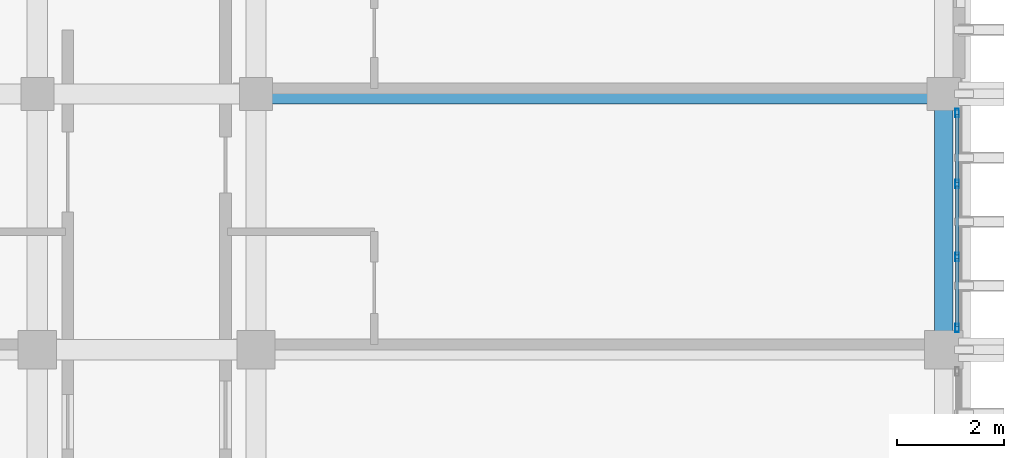
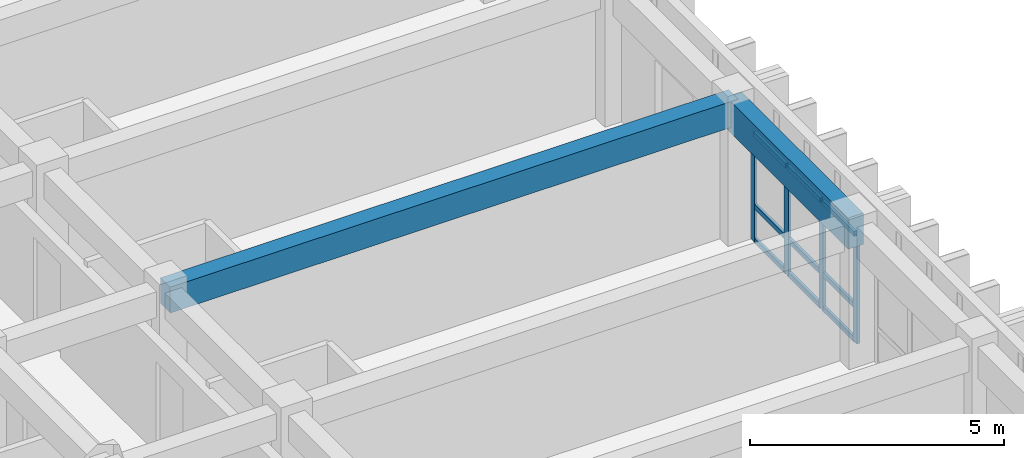
# One storey, part 16 of 59: 13 members, 2 beams, 1 element without a shape of its own.
"""IFC4 building model written with IfcOpenShell, lengths in metres."""

import ifcopenshell
import ifcopenshell.guid

model = None  # the IFC model being written
_history = None  # IfcOwnerHistory: only IFC2X3 demands one
_inside = {}  # id of a spatial element -> (the spatial element, [elements in it])
_under = {}  # id of a project, library or spatial element -> (it, [spatial elements below it])
_declared = {}  # id of a project -> (the project, [libraries it declares])
_typed = {}  # id of a type object -> (the type object, [elements of that type])
_made_of = {}  # id of a material, layer set ... -> (it, [elements and type objects made of it])


def new_model(schema):
    """Start an empty IFC model of exactly this schema.

    Asked for "IFC4X3", IfcOpenShell would pick the latest addendum, in which some entities
    have other attributes; the version numbers below select the first issue.
    IFC2X3 requires an IfcOwnerHistory on every rooted entity: one is made here for all.
    """
    global model, _history
    if schema == "IFC4X3":
        model = ifcopenshell.file(schema_version=(4, 3, 0, 0))
    else:
        model = ifcopenshell.file(schema=schema)
    _inside.clear()
    _under.clear()
    _declared.clear()
    _typed.clear()
    _made_of.clear()
    _history = None
    if model.schema == "IFC2X3":
        org = make("IfcOrganization", Name="unknown")
        user = make(
            "IfcPersonAndOrganization",
            ThePerson=make("IfcPerson", FamilyName="unknown"),
            TheOrganization=org,
        )
        app = make(
            "IfcApplication",
            ApplicationDeveloper=org,
            Version="unknown",
            ApplicationFullName="unknown",
            ApplicationIdentifier="unknown",
        )
        _history = make(
            "IfcOwnerHistory",
            OwningUser=user,
            OwningApplication=app,
            ChangeAction="ADDED",
            CreationDate=0,
        )
    return model


def make(cls, **values):
    """One entity of the class cls with the attributes given. An attribute that is None is left unset."""
    return model.create_entity(
        cls, **{name: value for name, value in values.items() if value is not None}
    )


def rooted(cls, **values):
    """An entity with a GlobalId (a new one), such as an element, a storey or a relation."""
    return make(cls, GlobalId=ifcopenshell.guid.new(), OwnerHistory=_history, **values)


def si_unit(unit_type, name, prefix=None):
    """IfcSIUnit, for example si_unit("LENGTHUNIT", "METRE", prefix="MILLI")."""
    return make("IfcSIUnit", UnitType=unit_type, Prefix=prefix, Name=name)


def assignment(units):
    """IfcUnitAssignment: the units of a project."""
    return None if units is None else make("IfcUnitAssignment", Units=units)


def point(xyz):
    """IfcCartesianPoint."""
    return None if xyz is None else make("IfcCartesianPoint", Coordinates=xyz)


def direction(xyz):
    """IfcDirection."""
    return None if xyz is None else make("IfcDirection", DirectionRatios=xyz)


def frame(location, z_axis=None, x_axis=None):
    """IfcAxis2Placement3D, a coordinate frame: its origin and axes. An axis left out is left unset."""
    return make(
        "IfcAxis2Placement3D",
        Location=point(location),
        Axis=direction(z_axis),
        RefDirection=direction(x_axis),
    )


def frame_2d(location, x_axis=None):
    """IfcAxis2Placement2D, a coordinate frame in the plane: its origin and x axis."""
    return make(
        "IfcAxis2Placement2D", Location=point(location), RefDirection=direction(x_axis)
    )


def origin():
    """The frame at (0, 0, 0) with its axes left unset."""
    return frame((0.0, 0.0, 0.0))


def origin_2d():
    """The frame at (0, 0) in the plane with its x axis left unset."""
    return frame_2d((0.0, 0.0))


def place(relative_to, where):
    """IfcLocalPlacement: puts the frame where relative to a parent placement (None: the world)."""
    return make(
        "IfcLocalPlacement", PlacementRelTo=relative_to, RelativePlacement=where
    )


def context(
    kind, dimensions, precision=None, world=None, true_north=None, identifier=None
):
    """IfcGeometricRepresentationContext, for example the 3D "Model" context."""
    return make(
        "IfcGeometricRepresentationContext",
        ContextIdentifier=identifier,
        ContextType=kind,
        CoordinateSpaceDimension=dimensions,
        Precision=precision,
        WorldCoordinateSystem=world,
        TrueNorth=true_north,
    )


def subcontext(parent, identifier, kind, view, scale=None):
    """IfcGeometricRepresentationSubContext, for example "Body" below "Model"."""
    return make(
        "IfcGeometricRepresentationSubContext",
        ContextIdentifier=identifier,
        ContextType=kind,
        ParentContext=parent,
        TargetScale=scale,
        TargetView=view,
    )


def project(units=None, contexts=None):
    """IfcProject with its units and contexts."""
    return rooted(
        "IfcProject",
        Name="project",
        RepresentationContexts=contexts,
        UnitsInContext=assignment(units),
    )


def spatial(cls, under=None, at=None, **own):
    """A site, building, storey or space (cls), placed at a placement, below another one or the project."""
    s = rooted(cls, ObjectPlacement=at, **own)
    if under is not None:
        _under.setdefault(under.id(), (under, []))[1].append(s)
    return s


def profile(cls, at=None, kind="AREA", **sizes):
    """A parametric profile (cls). Its sizes go by their IFC names, for example OverallWidth=200.0."""
    return make(cls, ProfileType=kind, Position=at, **sizes)


def rectangle(**sizes):
    """IfcRectangleProfileDef."""
    return profile("IfcRectangleProfileDef", **sizes)


def hollow_rectangle(**sizes):
    """IfcRectangleHollowProfileDef."""
    return profile("IfcRectangleHollowProfileDef", **sizes)


def extrude(swept, where, along, depth):
    """IfcExtrudedAreaSolid: the profile swept, set in the frame where, extruded along a direction by depth."""
    return make(
        "IfcExtrudedAreaSolid",
        SweptArea=swept,
        Position=where,
        ExtrudedDirection=direction(along),
        Depth=depth,
    )


def shape(context_of_items, identifier, shape_type, items):
    """IfcShapeRepresentation: the items that make up one representation, for example the "Body"."""
    return make(
        "IfcShapeRepresentation",
        ContextOfItems=context_of_items,
        RepresentationIdentifier=identifier,
        RepresentationType=shape_type,
        Items=items,
    )


def material(Name=None, Category=None):
    """IfcMaterial."""
    return make("IfcMaterial", Name=Name, Category=Category)


def layer(
    of_material, thickness, ventilated=None, Name=None, Category=None, Priority=None
):
    """IfcMaterialLayer: one layer of a wall or slab, of a material (None: an air gap)."""
    return make(
        "IfcMaterialLayer",
        Material=of_material,
        LayerThickness=thickness,
        IsVentilated=ventilated,
        Name=Name,
        Category=Category,
        Priority=Priority,
    )


def layer_set(layers, Name=None):
    """IfcMaterialLayerSet."""
    return make("IfcMaterialLayerSet", MaterialLayers=layers, LayerSetName=Name)


def material_profile(
    of_material, cross_section, Name=None, Category=None, Priority=None
):
    """IfcMaterialProfile: a cross section and its material."""
    return make(
        "IfcMaterialProfile",
        Name=Name,
        Material=of_material,
        Profile=cross_section,
        Priority=Priority,
        Category=Category,
    )


def profile_set(profiles, Name=None, composite=None):
    """IfcMaterialProfileSet."""
    return make(
        "IfcMaterialProfileSet",
        Name=Name,
        MaterialProfiles=profiles,
        CompositeProfile=composite,
    )


def made_of(thing, what):
    """Note that an element or type object is made of a material, layer set ...; save() writes the relation."""
    if what is not None:
        _made_of.setdefault(what.id(), (what, []))[1].append(thing)
    return thing


def type_object(cls, material=None, **own):
    """A type object (cls), such as IfcWallType, which elements share."""
    return made_of(rooted(cls, **own), material)


def element(
    cls,
    number,
    at=None,
    inside=None,
    cuts=None,
    type_object=None,
    material=None,
    context=None,
    identifier="Body",
    shape_type=None,
    held_by="IfcProductDefinitionShape",
    body=None,
    shapes=None,
    **own,
):
    """One element of the class cls, such as IfcWall. Its Tag is "e" and its number.

    at: its placement. inside: the storey or other place that contains it. cuts: it is an
    opening in that element (IfcRelVoidsElement). A single representation is given by context,
    identifier, shape_type and body (its items); several are given by shapes. held_by: the class
    of the entity that holds the representations. save() writes the other relations.
    """
    e = rooted(cls, Tag="e%d" % number, ObjectPlacement=at, **own)
    if body is not None:
        shapes = [shape(context, identifier, shape_type, body)]
    if shapes is not None:
        e.Representation = make(held_by, Representations=shapes)
    if inside is not None:
        _inside.setdefault(inside.id(), (inside, []))[1].append(e)
    if cuts is not None:
        rooted(
            "IfcRelVoidsElement", RelatingBuildingElement=cuts, RelatedOpeningElement=e
        )
    if type_object is not None:
        _typed.setdefault(type_object.id(), (type_object, []))[1].append(e)
    return made_of(e, material)


def aggregate(whole, parts):
    """IfcRelAggregates: a whole, such as a stair, and the parts it consists of."""
    return rooted("IfcRelAggregates", RelatingObject=whole, RelatedObjects=parts)


def save(model, path):
    """Write the relations noted so far, then the file.

    IfcRelAggregates (storeys below a building ...), IfcRelContainedInSpatialStructure (elements
    in a storey), IfcRelDefinesByType, IfcRelAssociatesMaterial and IfcRelDeclares: one each for
    every whole, place, type object, material and project.
    """
    for whole, parts in _under.values():
        aggregate(whole, parts)
    for where, things in _inside.values():
        rooted(
            "IfcRelContainedInSpatialStructure",
            RelatedElements=things,
            RelatingStructure=where,
        )
    for kind, things in _typed.values():
        rooted("IfcRelDefinesByType", RelatedObjects=things, RelatingType=kind)
    for what, things in _made_of.values():
        rooted("IfcRelAssociatesMaterial", RelatedObjects=things, RelatingMaterial=what)
    for by, libraries in _declared.values():
        rooted("IfcRelDeclares", RelatingContext=by, RelatedDefinitions=libraries)
    model.write(path)


model = new_model("IFC4")

# Units and contexts
model_context = context("Model", 3, precision=1e-05, world=origin(), true_north=direction((0.0, 1.0)))
body_context = subcontext(model_context, "Body", "Model", "MODEL_VIEW")
ifc_project = project(units=[si_unit("LENGTHUNIT", "METRE"), si_unit("AREAUNIT", "SQUARE_METRE"), si_unit("VOLUMEUNIT", "CUBIC_METRE"), si_unit("PLANEANGLEUNIT", "RADIAN"), si_unit("MASSUNIT", "GRAM", prefix="KILO")], contexts=[model_context])

# Site, building, storey
site_placement = place(None, origin())
site = spatial("IfcSite", under=ifc_project, at=site_placement, CompositionType="ELEMENT")
building_placement = place(site_placement, origin())
building = spatial("IfcBuilding", under=site, at=building_placement, Name="Nakhvara Creek Congress Hotel", CompositionType="ELEMENT")
storey_placement = place(building_placement, frame((0.0, 0.0, 31.800048828125)))
storey = spatial("IfcBuildingStorey", under=building, at=storey_placement, Name="L07", CompositionType="ELEMENT", Elevation=31.800048828125)

# Beams
ifc_material_1 = material(Name="Concrete C40/50", Category="concrete")
ifc_material_profile_1 = material_profile(ifc_material_1, rectangle(XDim=0.3798828125, YDim=0.6201171875, at=origin_2d()), Name="RC-BM 380x620", Category="LoadBearing")
ifc_profile_set_1 = profile_set([ifc_material_profile_1], Name="Concrete C40/50")
beam_type_1 = type_object("IfcBeamType", Name="BM-RC-380X620", PredefinedType="BEAM", material=ifc_profile_set_1)
beam_1_placement = place(storey_placement, frame((166.449951171875, 72.0, 3.050048828125), z_axis=(1.0, 0.0, 0.0), x_axis=(0.0, 1.0, 0.0)))
element("IfcBeam", 1, at=beam_1_placement, inside=storey, type_object=beam_type_1, Name="Beam B10-L07-2423", PredefinedType="BEAM", context=body_context, shape_type="SweptSolid", body=[
    extrude(rectangle(XDim=0.3798828125, YDim=0.6201171875, at=origin_2d()), origin(), (0.0, 0.0, 1.0), 12.900146484375),
])
ifc_material_profile_2 = material_profile(ifc_material_1, rectangle(XDim=0.35009765625, YDim=0.75, at=origin_2d()), Name="RC-SPANDREL 350x750", Category="LoadBearing")
ifc_profile_set_2 = profile_set([ifc_material_profile_2], Name="Concrete C40/50")
beam_type_2 = type_object("IfcBeamType", Name="BM-SPN-350X750", PredefinedType="SPANDREL", material=ifc_profile_set_2)
beam_2_placement = place(storey_placement, frame((179.35009765625, 67.199951171875, 2.98486328125), z_axis=(0.0, 1.0, 0.0), x_axis=(-1.0, 0.0, 0.0)))
element("IfcBeam", 2, at=beam_2_placement, inside=storey, type_object=beam_type_2, Name="Beam SP1-L07-2395", PredefinedType="SPANDREL", context=body_context, shape_type="SweptSolid", body=[
    extrude(rectangle(XDim=0.35009765625, YDim=0.75, at=origin_2d()), origin(), (0.0, 0.0, 1.0), 4.800048828125),
])

# Curtain wall, members
ifc_material_2 = material(Name="Bronze-anodised aluminium AW-6063-T6 and double-silver low-E glass", Category="aluminium")
ifc_layer = layer(ifc_material_2, 0.199951171875)
ifc_layer_set = layer_set([ifc_layer], Name="Bronze-anodised aluminium AW-6063-T6 and double-silver low-E glass")
curtain_wall_type = type_object("IfcCurtainWallType", Name="CW-HTL-UNIT", PredefinedType="USERDEFINED", material=ifc_layer_set)
curtain_wall_placement = place(storey_placement, origin())
curtain_wall = element("IfcCurtainWall", 3, at=curtain_wall_placement, inside=storey, type_object=curtain_wall_type, Name="Curtain Wall CW259", ObjectType="UNITISED", PredefinedType="USERDEFINED")
ifc_material_3 = material(Name="Bronze-anodised aluminium AW-6063-T6", Category="aluminium")
ifc_material_profile_3 = material_profile(ifc_material_3, hollow_rectangle(XDim=0.06494140625, YDim=0.159912109375, WallThickness=0.00390625, at=origin_2d()), Name="ALU-MULL 65x160x4", Category="LoadBearing")
ifc_profile_set_3 = profile_set([ifc_material_profile_3], Name="Bronze-anodised aluminium AW-6063-T6")
member_type_1 = type_object("IfcMemberType", Name="CW-MULL-160", PredefinedType="MULLION", material=ifc_profile_set_3)
member_1_placement = place(storey_placement, frame((179.60009765625, 71.642578125, 0.0), z_axis=(0.0, 0.0, 1.0), x_axis=(1.0, 0.0, 0.0)))
member_1 = element("IfcMember", 4, at=member_1_placement, type_object=member_type_1, Name="CW259 mullion 1", PredefinedType="MULLION", context=body_context, shape_type="SweptSolid", body=[
    extrude(hollow_rectangle(XDim=0.06494140625, YDim=0.159912109375, WallThickness=0.00390625, at=origin_2d()), origin(), (0.0, 0.0, 1.0), 2.60205078125),
])
member_2_placement = place(storey_placement, frame((179.60009765625, 70.308349609375, 0.0), z_axis=(0.0, 0.0, 1.0), x_axis=(1.0, 0.0, 0.0)))
member_2 = element("IfcMember", 5, at=member_2_placement, type_object=member_type_1, Name="CW259 mullion 2", PredefinedType="MULLION", context=body_context, shape_type="SweptSolid", body=[
    extrude(hollow_rectangle(XDim=0.06494140625, YDim=0.159912109375, WallThickness=0.00390625, at=origin_2d()), origin(), (0.0, 0.0, 1.0), 2.60205078125),
])
member_3_placement = place(storey_placement, frame((179.60009765625, 68.941650390625, 0.0), z_axis=(0.0, 0.0, 1.0), x_axis=(1.0, 0.0, 0.0)))
member_3 = element("IfcMember", 6, at=member_3_placement, type_object=member_type_1, Name="CW259 mullion 3", PredefinedType="MULLION", context=body_context, shape_type="SweptSolid", body=[
    extrude(hollow_rectangle(XDim=0.06494140625, YDim=0.159912109375, WallThickness=0.00390625, at=origin_2d()), origin(), (0.0, 0.0, 1.0), 2.60205078125),
])
member_4_placement = place(storey_placement, frame((179.60009765625, 67.607421875, 0.0), z_axis=(0.0, 0.0, 1.0), x_axis=(1.0, 0.0, 0.0)))
member_4 = element("IfcMember", 7, at=member_4_placement, type_object=member_type_1, Name="CW259 mullion 4", PredefinedType="MULLION", context=body_context, shape_type="SweptSolid", body=[
    extrude(hollow_rectangle(XDim=0.06494140625, YDim=0.159912109375, WallThickness=0.00390625, at=origin_2d()), origin(), (0.0, 0.0, 1.0), 2.60205078125),
])
ifc_material_profile_4 = material_profile(ifc_material_3, hollow_rectangle(XDim=0.06494140625, YDim=0.1201171875, WallThickness=0.00390625, at=origin_2d()), Name="ALU-TRAN 65x120x4", Category="LoadBearing")
ifc_profile_set_4 = profile_set([ifc_material_profile_4], Name="Bronze-anodised aluminium AW-6063-T6")
member_type_2 = type_object("IfcMemberType", Name="CW-TRAN-120", PredefinedType="USERDEFINED", material=ifc_profile_set_4)
member_5_placement = place(storey_placement, frame((179.60009765625, 71.610107421875, 0.032470703125), z_axis=(0.0, -1.0, 0.0), x_axis=(1.0, 0.0, 0.0)))
member_5 = element("IfcMember", 8, at=member_5_placement, type_object=member_type_2, Name="CW259 transom 1.1", ObjectType="TRANSOM", PredefinedType="USERDEFINED", context=body_context, shape_type="SweptSolid", body=[
    extrude(hollow_rectangle(XDim=0.06494140625, YDim=0.1201171875, WallThickness=0.00390625, at=origin_2d()), origin(), (0.0, 0.0, 1.0), 1.269287109375),
])
member_6_placement = place(storey_placement, frame((179.60009765625, 71.610107421875, 0.849853515625), z_axis=(0.0, -1.0, 0.0), x_axis=(1.0, 0.0, 0.0)))
member_6 = element("IfcMember", 9, at=member_6_placement, type_object=member_type_2, Name="CW259 transom 1.2", ObjectType="TRANSOM", PredefinedType="USERDEFINED", context=body_context, shape_type="SweptSolid", body=[
    extrude(hollow_rectangle(XDim=0.06494140625, YDim=0.1201171875, WallThickness=0.00390625, at=origin_2d()), origin(), (0.0, 0.0, 1.0), 1.269287109375),
])
member_7_placement = place(storey_placement, frame((179.60009765625, 71.610107421875, 2.5693359375), z_axis=(0.0, -1.0, 0.0), x_axis=(1.0, 0.0, 0.0)))
member_7 = element("IfcMember", 10, at=member_7_placement, type_object=member_type_2, Name="CW259 transom 1.3", ObjectType="TRANSOM", PredefinedType="USERDEFINED", context=body_context, shape_type="SweptSolid", body=[
    extrude(hollow_rectangle(XDim=0.06494140625, YDim=0.1201171875, WallThickness=0.00390625, at=origin_2d()), origin(), (0.0, 0.0, 1.0), 1.269287109375),
])
member_8_placement = place(storey_placement, frame((179.60009765625, 70.27587890625, 0.032470703125), z_axis=(0.0, -1.0, 0.0), x_axis=(1.0, 0.0, 0.0)))
member_8 = element("IfcMember", 11, at=member_8_placement, type_object=member_type_2, Name="CW259 transom 2.1", ObjectType="TRANSOM", PredefinedType="USERDEFINED", context=body_context, shape_type="SweptSolid", body=[
    extrude(hollow_rectangle(XDim=0.06494140625, YDim=0.1201171875, WallThickness=0.00390625, at=origin_2d()), origin(), (0.0, 0.0, 1.0), 1.3017578125),
])
member_9_placement = place(storey_placement, frame((179.60009765625, 70.27587890625, 0.849853515625), z_axis=(0.0, -1.0, 0.0), x_axis=(1.0, 0.0, 0.0)))
member_9 = element("IfcMember", 12, at=member_9_placement, type_object=member_type_2, Name="CW259 transom 2.2", ObjectType="TRANSOM", PredefinedType="USERDEFINED", context=body_context, shape_type="SweptSolid", body=[
    extrude(hollow_rectangle(XDim=0.06494140625, YDim=0.1201171875, WallThickness=0.00390625, at=origin_2d()), origin(), (0.0, 0.0, 1.0), 1.3017578125),
])
member_10_placement = place(storey_placement, frame((179.60009765625, 70.27587890625, 2.5693359375), z_axis=(0.0, -1.0, 0.0), x_axis=(1.0, 0.0, 0.0)))
member_10 = element("IfcMember", 13, at=member_10_placement, type_object=member_type_2, Name="CW259 transom 2.3", ObjectType="TRANSOM", PredefinedType="USERDEFINED", context=body_context, shape_type="SweptSolid", body=[
    extrude(hollow_rectangle(XDim=0.06494140625, YDim=0.1201171875, WallThickness=0.00390625, at=origin_2d()), origin(), (0.0, 0.0, 1.0), 1.3017578125),
])
member_11_placement = place(storey_placement, frame((179.60009765625, 68.9091796875, 0.032470703125), z_axis=(0.0, -1.0, 0.0), x_axis=(1.0, 0.0, 0.0)))
member_11 = element("IfcMember", 14, at=member_11_placement, type_object=member_type_2, Name="CW259 transom 3.1", ObjectType="TRANSOM", PredefinedType="USERDEFINED", context=body_context, shape_type="SweptSolid", body=[
    extrude(hollow_rectangle(XDim=0.06494140625, YDim=0.1201171875, WallThickness=0.00390625, at=origin_2d()), origin(), (0.0, 0.0, 1.0), 1.269287109375),
])
member_12_placement = place(storey_placement, frame((179.60009765625, 68.9091796875, 0.849853515625), z_axis=(0.0, -1.0, 0.0), x_axis=(1.0, 0.0, 0.0)))
member_12 = element("IfcMember", 15, at=member_12_placement, type_object=member_type_2, Name="CW259 transom 3.2", ObjectType="TRANSOM", PredefinedType="USERDEFINED", context=body_context, shape_type="SweptSolid", body=[
    extrude(hollow_rectangle(XDim=0.06494140625, YDim=0.1201171875, WallThickness=0.00390625, at=origin_2d()), origin(), (0.0, 0.0, 1.0), 1.269287109375),
])
member_13_placement = place(storey_placement, frame((179.60009765625, 68.9091796875, 2.5693359375), z_axis=(0.0, -1.0, 0.0), x_axis=(1.0, 0.0, 0.0)))
member_13 = element("IfcMember", 16, at=member_13_placement, type_object=member_type_2, Name="CW259 transom 3.3", ObjectType="TRANSOM", PredefinedType="USERDEFINED", context=body_context, shape_type="SweptSolid", body=[
    extrude(hollow_rectangle(XDim=0.06494140625, YDim=0.1201171875, WallThickness=0.00390625, at=origin_2d()), origin(), (0.0, 0.0, 1.0), 1.269287109375),
])
aggregate(curtain_wall, [member_1, member_2, member_3, member_4, member_5, member_6, member_7, member_8, member_9, member_10, member_11, member_12, member_13])

save(model, "model.ifc")
